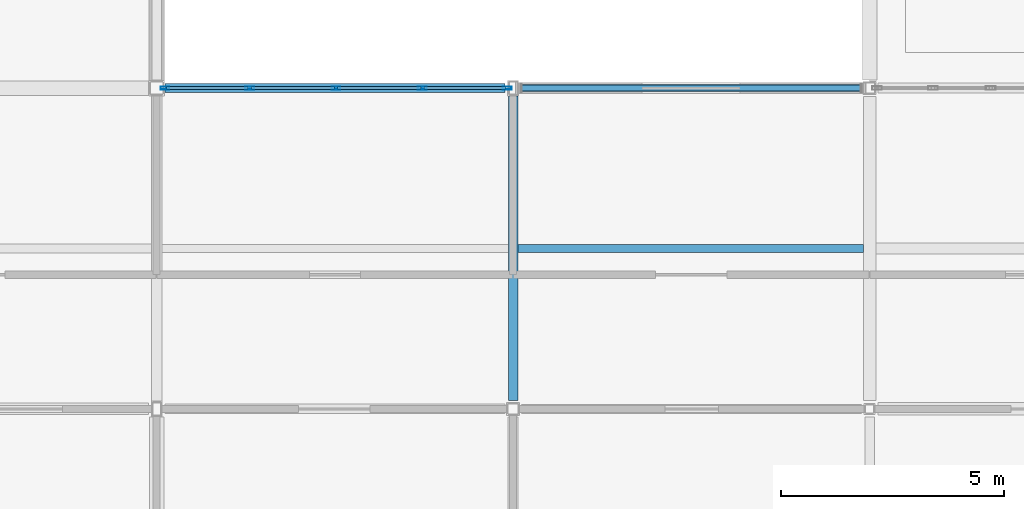
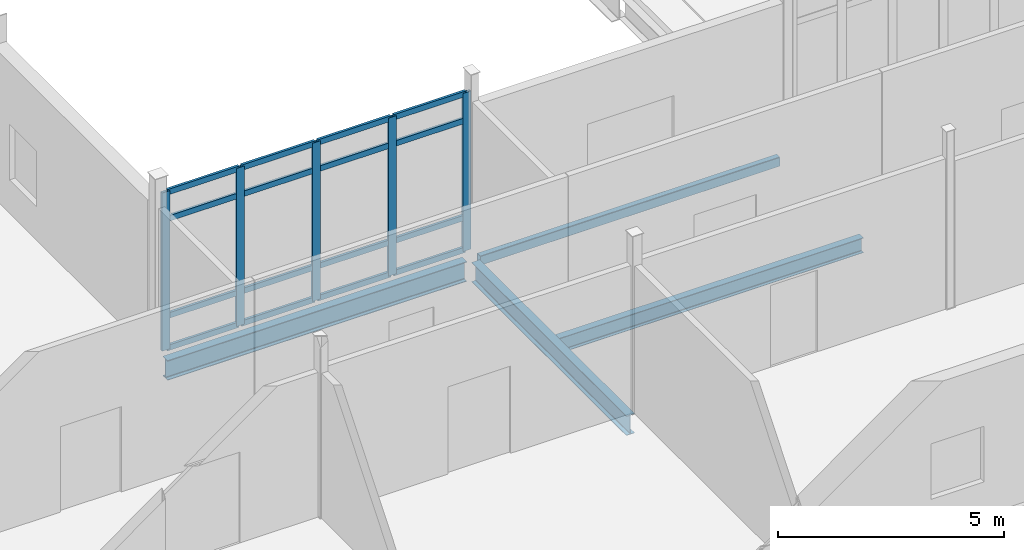
# One storey, part 48 of 186: 21 members, 4 beams, 1 element without a shape of its own.
"""IFC4 building model written with IfcOpenShell, lengths in metres."""

from ifc_helpers import new_model, si_unit, direction, frame, origin, origin_2d, place, context, subcontext, project, spatial, hollow_rectangle, i_section, extrude, material, layer, layer_set, material_profile, profile_set, type_object, element, aggregate, save


model = new_model("IFC4")

# Units and contexts
model_context = context("Model", 3, precision=1e-05, world=origin(), true_north=direction((0.0, 1.0)))
body_context = subcontext(model_context, "Body", "Model", "MODEL_VIEW")
ifc_project = project(units=[si_unit("LENGTHUNIT", "METRE"), si_unit("AREAUNIT", "SQUARE_METRE"), si_unit("VOLUMEUNIT", "CUBIC_METRE"), si_unit("PLANEANGLEUNIT", "RADIAN"), si_unit("MASSUNIT", "GRAM", prefix="KILO")], contexts=[model_context])

# Site, building, storey
site_placement = place(None, origin())
site = spatial("IfcSite", under=ifc_project, at=site_placement, CompositionType="ELEMENT")
building_placement = place(site_placement, origin())
building = spatial("IfcBuilding", under=site, at=building_placement, Name="Calvrana Isthmian Art Gallery", CompositionType="ELEMENT")
storey_placement = place(building_placement, frame((0.0, 0.0, 5.39990234375)))
storey = spatial("IfcBuildingStorey", under=building, at=storey_placement, Name="L01", CompositionType="ELEMENT", Elevation=5.39990234375)

# Beams
ifc_material_1 = material(Name="Steel ASTM A992 Gr 50", Category="steel")
ifc_material_profile_1 = material_profile(ifc_material_1, i_section(OverallWidth=0.208984375, OverallDepth=0.532958984375, WebThickness=0.01025390625, FlangeThickness=0.015625, FilletRadius=0.02099609375, at=origin_2d()), Name="W21X62")
ifc_profile_set_1 = profile_set([ifc_material_profile_1], Name="Steel ASTM A992 Gr 50")
beam_type_1 = type_object("IfcBeamType", Name="BM-G-W21X62", PredefinedType="BEAM", material=ifc_profile_set_1)
beam_1_placement = place(storey_placement, frame((80.58544921875, 14.39990234375, -0.511474609375), z_axis=(1.0, 0.0, 0.0), x_axis=(0.0, 1.0, 0.0)))
element("IfcBeam", 1, at=beam_1_placement, inside=storey, type_object=beam_type_1, Name="Girder X L01 11-12/C", PredefinedType="BEAM", context=body_context, shape_type="SweptSolid", body=[
    extrude(i_section(OverallWidth=0.208984375, OverallDepth=0.532958984375, WebThickness=0.01025390625, FlangeThickness=0.015625, FilletRadius=0.02099609375, at=origin_2d()), origin(), (0.0, 0.0, 1.0), 7.630615234375),
])
beam_2_placement = place(storey_placement, frame((88.39990234375, 7.386474609375, -0.511474609375), z_axis=(0.0, 1.0, 0.0), x_axis=(-1.0, 0.0, 0.0)))
element("IfcBeam", 2, at=beam_2_placement, inside=storey, type_object=beam_type_1, Name="Girder Y L01 12/B-C", PredefinedType="BEAM", context=body_context, shape_type="SweptSolid", body=[
    extrude(i_section(OverallWidth=0.208984375, OverallDepth=0.532958984375, WebThickness=0.01025390625, FlangeThickness=0.015625, FilletRadius=0.02099609375, at=origin_2d()), origin(), (0.0, 0.0, 1.0), 6.83544921875),
])
ifc_material_profile_2 = material_profile(ifc_material_1, i_section(OverallWidth=0.177978515625, OverallDepth=0.404052734375, WebThickness=0.007568359375, FlangeThickness=0.010986328125, FilletRadius=0.01806640625, at=origin_2d()), Name="W16X36")
ifc_profile_set_2 = profile_set([ifc_material_profile_2], Name="Steel ASTM A992 Gr 50")
beam_type_2 = type_object("IfcBeamType", Name="BM-J-W16X36", PredefinedType="JOIST", material=ifc_profile_set_2)
beam_3_placement = place(storey_placement, frame((88.50439453125, 10.800048828125, -0.447021484375), z_axis=(1.0, 0.0, 0.0), x_axis=(0.0, 1.0, 0.0)))
element("IfcBeam", 3, at=beam_3_placement, inside=storey, type_object=beam_type_2, Name="Composite joist L01 bay 11-01", PredefinedType="JOIST", context=body_context, shape_type="SweptSolid", body=[
    extrude(i_section(OverallWidth=0.177978515625, OverallDepth=0.404052734375, WebThickness=0.007568359375, FlangeThickness=0.010986328125, FilletRadius=0.01806640625, at=origin_2d()), origin(), (0.0, 0.0, 1.0), 7.756103515625),
])
ifc_material_2 = material(Name="Steel ASTM A500 Gr C", Category="steel")
ifc_material_profile_3 = material_profile(ifc_material_2, hollow_rectangle(XDim=0.15234375, YDim=0.25390625, WallThickness=0.009521484375, OuterFilletRadius=0.01904296875, at=origin_2d()), Name="HSS254X152X9.5")
ifc_profile_set_3 = profile_set([ifc_material_profile_3], Name="Steel ASTM A500 Gr C")
beam_type_3 = type_object("IfcBeamType", Name="BM-SP-HSS254", PredefinedType="SPANDREL", material=ifc_profile_set_3)
beam_4_placement = place(storey_placement, frame((88.583984375, 14.39990234375, -0.371826171875), z_axis=(1.0, 0.0, 0.0), x_axis=(0.0, 1.0, 0.0)))
element("IfcBeam", 4, at=beam_4_placement, inside=storey, type_object=beam_type_3, Name="Girder X L01 12-13/C", PredefinedType="SPANDREL", context=body_context, shape_type="SweptSolid", body=[
    extrude(hollow_rectangle(XDim=0.15234375, YDim=0.25390625, WallThickness=0.009521484375, OuterFilletRadius=0.01904296875, at=origin_2d()), origin(), (0.0, 0.0, 1.0), 7.62939453125),
])

# Curtain wall, members
ifc_material_3 = material(Name="Anodized bronze aluminium 6063-T6", Category="aluminium")
ifc_layer = layer(ifc_material_3, 0.179931640625, Name="Anodized bronze aluminium 6063-T6")
ifc_layer_set = layer_set([ifc_layer], Name="Anodized bronze aluminium 6063-T6")
curtain_wall_type = type_object("IfcCurtainWallType", Name="CW-UNIT-077X43", PredefinedType="USERDEFINED", material=ifc_layer_set)
curtain_wall_placement = place(storey_placement, origin())
curtain_wall = element("IfcCurtainWall", 5, at=curtain_wall_placement, inside=storey, type_object=curtain_wall_type, Name="Curtain wall CW-087", ObjectType="UNITISED CURTAIN WALL", PredefinedType="USERDEFINED")
ifc_material_profile_4 = material_profile(ifc_material_3, hollow_rectangle(XDim=0.070068359375, YDim=0.199951171875, WallThickness=0.0048828125, at=origin_2d()), Name="CWM70X200")
ifc_profile_set_4 = profile_set([ifc_material_profile_4], Name="Anodized bronze aluminium 6063-T6")
member_type_1 = type_object("IfcMemberType", Name="CWM-CWM70X200", PredefinedType="MULLION", material=ifc_profile_set_4)
member_1_placement = place(storey_placement, frame((80.58740234375, 14.39990234375, 0.0), z_axis=(0.0, 0.0, 1.0), x_axis=(0.0, 1.0, 0.0)))
member_1 = element("IfcMember", 6, at=member_1_placement, type_object=member_type_1, Name="CW-087 mullion 1", PredefinedType="MULLION", context=body_context, shape_type="SweptSolid", body=[
    extrude(hollow_rectangle(XDim=0.070068359375, YDim=0.199951171875, WallThickness=0.0048828125, at=origin_2d()), origin(), (0.0, 0.0, 1.0), 4.26611328125),
])
member_2_placement = place(storey_placement, frame((82.489013671875, 14.39990234375, 0.0), z_axis=(0.0, 0.0, 1.0), x_axis=(0.0, 1.0, 0.0)))
member_2 = element("IfcMember", 7, at=member_2_placement, type_object=member_type_1, Name="CW-087 mullion 2", PredefinedType="MULLION", context=body_context, shape_type="SweptSolid", body=[
    extrude(hollow_rectangle(XDim=0.070068359375, YDim=0.199951171875, WallThickness=0.0048828125, at=origin_2d()), origin(), (0.0, 0.0, 1.0), 4.26611328125),
])
member_3_placement = place(storey_placement, frame((84.42529296875, 14.39990234375, 0.0), z_axis=(0.0, 0.0, 1.0), x_axis=(0.0, 1.0, 0.0)))
member_3 = element("IfcMember", 8, at=member_3_placement, type_object=member_type_1, Name="CW-087 mullion 3", PredefinedType="MULLION", context=body_context, shape_type="SweptSolid", body=[
    extrude(hollow_rectangle(XDim=0.070068359375, YDim=0.199951171875, WallThickness=0.0048828125, at=origin_2d()), origin(), (0.0, 0.0, 1.0), 4.26611328125),
])
member_4_placement = place(storey_placement, frame((86.36181640625, 14.39990234375, 0.0), z_axis=(0.0, 0.0, 1.0), x_axis=(0.0, 1.0, 0.0)))
member_4 = element("IfcMember", 9, at=member_4_placement, type_object=member_type_1, Name="CW-087 mullion 4", PredefinedType="MULLION", context=body_context, shape_type="SweptSolid", body=[
    extrude(hollow_rectangle(XDim=0.070068359375, YDim=0.199951171875, WallThickness=0.0048828125, at=origin_2d()), origin(), (0.0, 0.0, 1.0), 4.26611328125),
])
member_5_placement = place(storey_placement, frame((88.263427734375, 14.39990234375, 0.0), z_axis=(0.0, 0.0, 1.0), x_axis=(0.0, 1.0, 0.0)))
member_5 = element("IfcMember", 10, at=member_5_placement, type_object=member_type_1, Name="CW-087 mullion 5", PredefinedType="MULLION", context=body_context, shape_type="SweptSolid", body=[
    extrude(hollow_rectangle(XDim=0.070068359375, YDim=0.199951171875, WallThickness=0.0048828125, at=origin_2d()), origin(), (0.0, 0.0, 1.0), 4.26611328125),
])
ifc_material_profile_5 = material_profile(ifc_material_3, hollow_rectangle(XDim=0.06494140625, YDim=0.14990234375, WallThickness=0.00390625, at=origin_2d()), Name="CWT65X150")
ifc_profile_set_5 = profile_set([ifc_material_profile_5], Name="Anodized bronze aluminium 6063-T6")
member_type_2 = type_object("IfcMemberType", Name="CWT-CWT65X150", PredefinedType="USERDEFINED", material=ifc_profile_set_5)
member_6_placement = place(storey_placement, frame((80.622314453125, 14.39990234375, 0.03271484375), z_axis=(1.0, 0.0, 0.0), x_axis=(0.0, 1.0, 0.0)))
member_6 = element("IfcMember", 11, at=member_6_placement, type_object=member_type_2, Name="CW-087 transom 1.1", ObjectType="TRANSOM", PredefinedType="USERDEFINED", context=body_context, shape_type="SweptSolid", body=[
    extrude(hollow_rectangle(XDim=0.06494140625, YDim=0.14990234375, WallThickness=0.00390625, at=origin_2d()), origin(), (0.0, 0.0, 1.0), 1.83154296875),
])
member_7_placement = place(storey_placement, frame((80.622314453125, 14.39990234375, 0.900146484375), z_axis=(1.0, 0.0, 0.0), x_axis=(0.0, 1.0, 0.0)))
member_7 = element("IfcMember", 12, at=member_7_placement, type_object=member_type_2, Name="CW-087 transom 1.2", ObjectType="TRANSOM", PredefinedType="USERDEFINED", context=body_context, shape_type="SweptSolid", body=[
    extrude(hollow_rectangle(XDim=0.06494140625, YDim=0.14990234375, WallThickness=0.00390625, at=origin_2d()), origin(), (0.0, 0.0, 1.0), 1.83154296875),
])
member_8_placement = place(storey_placement, frame((80.622314453125, 14.39990234375, 3.51611328125), z_axis=(1.0, 0.0, 0.0), x_axis=(0.0, 1.0, 0.0)))
member_8 = element("IfcMember", 13, at=member_8_placement, type_object=member_type_2, Name="CW-087 transom 1.3", ObjectType="TRANSOM", PredefinedType="USERDEFINED", context=body_context, shape_type="SweptSolid", body=[
    extrude(hollow_rectangle(XDim=0.06494140625, YDim=0.14990234375, WallThickness=0.00390625, at=origin_2d()), origin(), (0.0, 0.0, 1.0), 1.83154296875),
])
member_9_placement = place(storey_placement, frame((80.622314453125, 14.39990234375, 4.233642578125), z_axis=(1.0, 0.0, 0.0), x_axis=(0.0, 1.0, 0.0)))
member_9 = element("IfcMember", 14, at=member_9_placement, type_object=member_type_2, Name="CW-087 transom 1.4", ObjectType="TRANSOM", PredefinedType="USERDEFINED", context=body_context, shape_type="SweptSolid", body=[
    extrude(hollow_rectangle(XDim=0.06494140625, YDim=0.14990234375, WallThickness=0.00390625, at=origin_2d()), origin(), (0.0, 0.0, 1.0), 1.83154296875),
])
member_10_placement = place(storey_placement, frame((82.52392578125, 14.39990234375, 0.03271484375), z_axis=(1.0, 0.0, 0.0), x_axis=(0.0, 1.0, 0.0)))
member_10 = element("IfcMember", 15, at=member_10_placement, type_object=member_type_2, Name="CW-087 transom 2.1", ObjectType="TRANSOM", PredefinedType="USERDEFINED", context=body_context, shape_type="SweptSolid", body=[
    extrude(hollow_rectangle(XDim=0.06494140625, YDim=0.14990234375, WallThickness=0.00390625, at=origin_2d()), origin(), (0.0, 0.0, 1.0), 1.866455078125),
])
member_11_placement = place(storey_placement, frame((82.52392578125, 14.39990234375, 0.900146484375), z_axis=(1.0, 0.0, 0.0), x_axis=(0.0, 1.0, 0.0)))
member_11 = element("IfcMember", 16, at=member_11_placement, type_object=member_type_2, Name="CW-087 transom 2.2", ObjectType="TRANSOM", PredefinedType="USERDEFINED", context=body_context, shape_type="SweptSolid", body=[
    extrude(hollow_rectangle(XDim=0.06494140625, YDim=0.14990234375, WallThickness=0.00390625, at=origin_2d()), origin(), (0.0, 0.0, 1.0), 1.866455078125),
])
member_12_placement = place(storey_placement, frame((82.52392578125, 14.39990234375, 3.51611328125), z_axis=(1.0, 0.0, 0.0), x_axis=(0.0, 1.0, 0.0)))
member_12 = element("IfcMember", 17, at=member_12_placement, type_object=member_type_2, Name="CW-087 transom 2.3", ObjectType="TRANSOM", PredefinedType="USERDEFINED", context=body_context, shape_type="SweptSolid", body=[
    extrude(hollow_rectangle(XDim=0.06494140625, YDim=0.14990234375, WallThickness=0.00390625, at=origin_2d()), origin(), (0.0, 0.0, 1.0), 1.866455078125),
])
member_13_placement = place(storey_placement, frame((82.52392578125, 14.39990234375, 4.233642578125), z_axis=(1.0, 0.0, 0.0), x_axis=(0.0, 1.0, 0.0)))
member_13 = element("IfcMember", 18, at=member_13_placement, type_object=member_type_2, Name="CW-087 transom 2.4", ObjectType="TRANSOM", PredefinedType="USERDEFINED", context=body_context, shape_type="SweptSolid", body=[
    extrude(hollow_rectangle(XDim=0.06494140625, YDim=0.14990234375, WallThickness=0.00390625, at=origin_2d()), origin(), (0.0, 0.0, 1.0), 1.866455078125),
])
member_14_placement = place(storey_placement, frame((84.46044921875, 14.39990234375, 0.03271484375), z_axis=(1.0, 0.0, 0.0), x_axis=(0.0, 1.0, 0.0)))
member_14 = element("IfcMember", 19, at=member_14_placement, type_object=member_type_2, Name="CW-087 transom 3.1", ObjectType="TRANSOM", PredefinedType="USERDEFINED", context=body_context, shape_type="SweptSolid", body=[
    extrude(hollow_rectangle(XDim=0.06494140625, YDim=0.14990234375, WallThickness=0.00390625, at=origin_2d()), origin(), (0.0, 0.0, 1.0), 1.866455078125),
])
member_15_placement = place(storey_placement, frame((84.46044921875, 14.39990234375, 0.900146484375), z_axis=(1.0, 0.0, 0.0), x_axis=(0.0, 1.0, 0.0)))
member_15 = element("IfcMember", 20, at=member_15_placement, type_object=member_type_2, Name="CW-087 transom 3.2", ObjectType="TRANSOM", PredefinedType="USERDEFINED", context=body_context, shape_type="SweptSolid", body=[
    extrude(hollow_rectangle(XDim=0.06494140625, YDim=0.14990234375, WallThickness=0.00390625, at=origin_2d()), origin(), (0.0, 0.0, 1.0), 1.866455078125),
])
member_16_placement = place(storey_placement, frame((84.46044921875, 14.39990234375, 3.51611328125), z_axis=(1.0, 0.0, 0.0), x_axis=(0.0, 1.0, 0.0)))
member_16 = element("IfcMember", 21, at=member_16_placement, type_object=member_type_2, Name="CW-087 transom 3.3", ObjectType="TRANSOM", PredefinedType="USERDEFINED", context=body_context, shape_type="SweptSolid", body=[
    extrude(hollow_rectangle(XDim=0.06494140625, YDim=0.14990234375, WallThickness=0.00390625, at=origin_2d()), origin(), (0.0, 0.0, 1.0), 1.866455078125),
])
member_17_placement = place(storey_placement, frame((84.46044921875, 14.39990234375, 4.233642578125), z_axis=(1.0, 0.0, 0.0), x_axis=(0.0, 1.0, 0.0)))
member_17 = element("IfcMember", 22, at=member_17_placement, type_object=member_type_2, Name="CW-087 transom 3.4", ObjectType="TRANSOM", PredefinedType="USERDEFINED", context=body_context, shape_type="SweptSolid", body=[
    extrude(hollow_rectangle(XDim=0.06494140625, YDim=0.14990234375, WallThickness=0.00390625, at=origin_2d()), origin(), (0.0, 0.0, 1.0), 1.866455078125),
])
member_18_placement = place(storey_placement, frame((86.39697265625, 14.39990234375, 0.03271484375), z_axis=(1.0, 0.0, 0.0), x_axis=(0.0, 1.0, 0.0)))
member_18 = element("IfcMember", 23, at=member_18_placement, type_object=member_type_2, Name="CW-087 transom 4.1", ObjectType="TRANSOM", PredefinedType="USERDEFINED", context=body_context, shape_type="SweptSolid", body=[
    extrude(hollow_rectangle(XDim=0.06494140625, YDim=0.14990234375, WallThickness=0.00390625, at=origin_2d()), origin(), (0.0, 0.0, 1.0), 1.83154296875),
])
member_19_placement = place(storey_placement, frame((86.39697265625, 14.39990234375, 0.900146484375), z_axis=(1.0, 0.0, 0.0), x_axis=(0.0, 1.0, 0.0)))
member_19 = element("IfcMember", 24, at=member_19_placement, type_object=member_type_2, Name="CW-087 transom 4.2", ObjectType="TRANSOM", PredefinedType="USERDEFINED", context=body_context, shape_type="SweptSolid", body=[
    extrude(hollow_rectangle(XDim=0.06494140625, YDim=0.14990234375, WallThickness=0.00390625, at=origin_2d()), origin(), (0.0, 0.0, 1.0), 1.83154296875),
])
member_20_placement = place(storey_placement, frame((86.39697265625, 14.39990234375, 3.51611328125), z_axis=(1.0, 0.0, 0.0), x_axis=(0.0, 1.0, 0.0)))
member_20 = element("IfcMember", 25, at=member_20_placement, type_object=member_type_2, Name="CW-087 transom 4.3", ObjectType="TRANSOM", PredefinedType="USERDEFINED", context=body_context, shape_type="SweptSolid", body=[
    extrude(hollow_rectangle(XDim=0.06494140625, YDim=0.14990234375, WallThickness=0.00390625, at=origin_2d()), origin(), (0.0, 0.0, 1.0), 1.83154296875),
])
member_21_placement = place(storey_placement, frame((86.39697265625, 14.39990234375, 4.233642578125), z_axis=(1.0, 0.0, 0.0), x_axis=(0.0, 1.0, 0.0)))
member_21 = element("IfcMember", 26, at=member_21_placement, type_object=member_type_2, Name="CW-087 transom 4.4", ObjectType="TRANSOM", PredefinedType="USERDEFINED", context=body_context, shape_type="SweptSolid", body=[
    extrude(hollow_rectangle(XDim=0.06494140625, YDim=0.14990234375, WallThickness=0.00390625, at=origin_2d()), origin(), (0.0, 0.0, 1.0), 1.83154296875),
])
aggregate(curtain_wall, [member_1, member_2, member_3, member_4, member_5, member_6, member_7, member_8, member_9, member_10, member_11, member_12, member_13, member_14, member_15, member_16, member_17, member_18, member_19, member_20, member_21])

save(model, "model.ifc")
